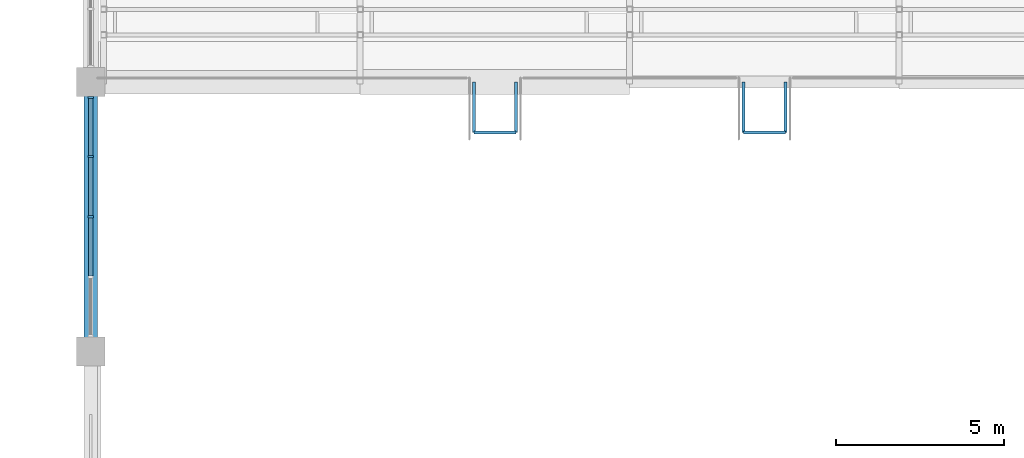
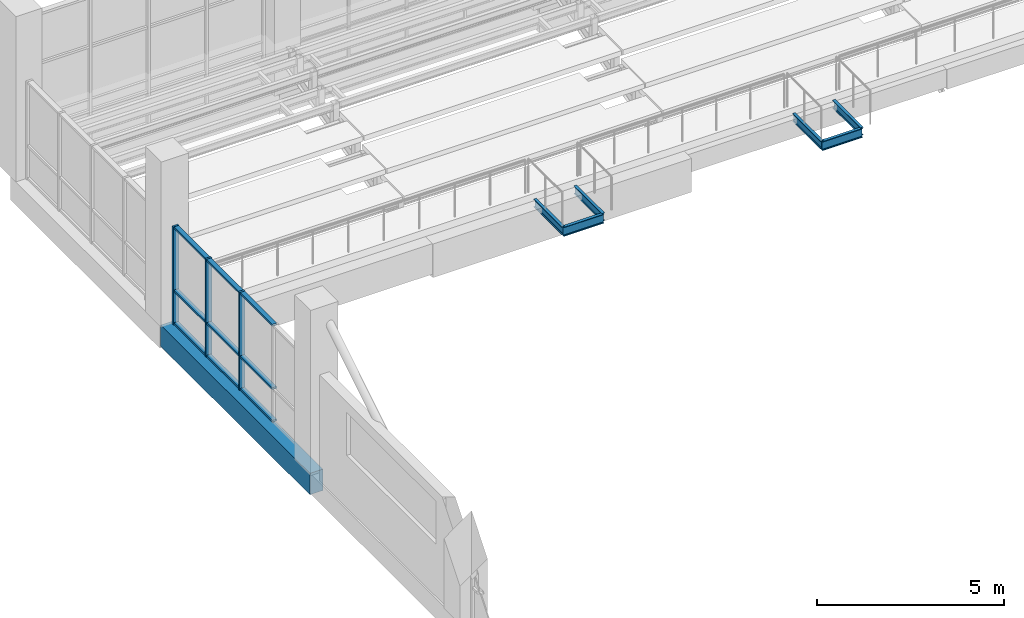
# One storey, part 11 of 122: 12 members, 7 beams, 1 element without a shape of its own.
"""IFC4 building model written with IfcOpenShell, lengths in metres."""

from ifc_helpers import new_model, si_unit, direction, frame, origin, origin_2d, place, context, subcontext, project, spatial, rectangle, i_section, extrude, material, material_profile, profile_set, type_object, element, aggregate, save


model = new_model("IFC4")

# Units and contexts
model_context = context("Model", 3, precision=1e-05, world=origin(), true_north=direction((0.0, 1.0)))
body_context = subcontext(model_context, "Body", "Model", "MODEL_VIEW")
ifc_project = project(units=[si_unit("LENGTHUNIT", "METRE"), si_unit("AREAUNIT", "SQUARE_METRE"), si_unit("VOLUMEUNIT", "CUBIC_METRE"), si_unit("PLANEANGLEUNIT", "RADIAN"), si_unit("MASSUNIT", "GRAM", prefix="KILO")], contexts=[model_context])

# Site, building, storey
site_placement = place(None, origin())
site = spatial("IfcSite", under=ifc_project, at=site_placement, CompositionType="ELEMENT")
building_placement = place(site_placement, origin())
building = spatial("IfcBuilding", under=site, at=building_placement, Name="Tenunan Teduh Sports Hall", CompositionType="ELEMENT")
storey_placement = place(building_placement, frame((0.0, 0.0, 5.39990234375)))
storey = spatial("IfcBuildingStorey", under=building, at=storey_placement, Name="L01", CompositionType="ELEMENT", Elevation=5.39990234375)

# Beam
ifc_material_1 = material(Name="Concrete C40/50", Category="concrete")
ifc_material_profile_1 = material_profile(ifc_material_1, rectangle(XDim=0.39990234375, YDim=0.699951171875, at=origin_2d()), Name="RCB 400x700")
ifc_profile_set_1 = profile_set([ifc_material_profile_1], Name="Concrete C40/50")
beam_type_1 = type_object("IfcBeamType", Name="BM-RC-400x700", PredefinedType="BEAM", material=ifc_profile_set_1)
beam_placement = place(storey_placement, frame((6.0, 30.0, -0.60986328125), z_axis=(0.0, 1.0, 0.0), x_axis=(-1.0, 0.0, 0.0)))
element("IfcBeam", 1, at=beam_placement, inside=storey, type_object=beam_type_1, Name="BM-B-08-L01-1187", PredefinedType="BEAM", context=body_context, shape_type="SweptSolid", body=[
    extrude(rectangle(XDim=0.39990234375, YDim=0.699951171875, at=origin_2d()), origin(), (0.0, 0.0, 1.0), 8.0),
])

# Curtain wall, members
ifc_material_2 = material(Name="Anodised aluminium", Category="aluminium")
curtain_wall_type = type_object("IfcCurtainWallType", Name="CW-UNIT-1", PredefinedType="NOTDEFINED", material=ifc_material_2)
curtain_wall_placement = place(storey_placement, origin())
curtain_wall = element("IfcCurtainWall", 2, at=curtain_wall_placement, inside=storey, type_object=curtain_wall_type, Name="CW-CWM-175-L01-054", PredefinedType="NOTDEFINED")
ifc_material_3 = material(Name="Anodised aluminium", Category="aluminium")
ifc_material_profile_2 = material_profile(ifc_material_3, rectangle(XDim=0.06494140625, YDim=0.175048828125, at=origin_2d()), Name="CWM 65x175")
ifc_profile_set_2 = profile_set([ifc_material_profile_2], Name="Anodised aluminium")
member_type_1 = type_object("IfcMemberType", Name="CWM-175", PredefinedType="MULLION", material=ifc_profile_set_2)
member_1_placement = place(storey_placement, frame((6.0, 34.0, 0.0), z_axis=(0.0, 0.0, 1.0), x_axis=(0.0, 1.0, 0.0)))
member_1 = element("IfcMember", 3, at=member_1_placement, type_object=member_type_1, Name="CW-01 mullion 3", PredefinedType="MULLION", context=body_context, shape_type="SweptSolid", body=[
    extrude(rectangle(XDim=0.06494140625, YDim=0.175048828125, at=origin_2d()), origin(), (0.0, 0.0, 1.0), 3.2001953125),
])
member_2_placement = place(storey_placement, frame((6.0, 35.78759765625, 0.0), z_axis=(0.0, 0.0, 1.0), x_axis=(0.0, 1.0, 0.0)))
member_2 = element("IfcMember", 4, at=member_2_placement, type_object=member_type_1, Name="CW-01 mullion 4", PredefinedType="MULLION", context=body_context, shape_type="SweptSolid", body=[
    extrude(rectangle(XDim=0.06494140625, YDim=0.175048828125, at=origin_2d()), origin(), (0.0, 0.0, 1.0), 3.2001953125),
])
member_3_placement = place(storey_placement, frame((6.0, 37.54248046875, 0.0), z_axis=(0.0, 0.0, 1.0), x_axis=(0.0, 1.0, 0.0)))
member_3 = element("IfcMember", 5, at=member_3_placement, type_object=member_type_1, Name="CW-01 mullion 5", PredefinedType="MULLION", context=body_context, shape_type="SweptSolid", body=[
    extrude(rectangle(XDim=0.06494140625, YDim=0.175048828125, at=origin_2d()), origin(), (0.0, 0.0, 1.0), 3.2001953125),
])
ifc_material_4 = material(Name="Anodised aluminium", Category="aluminium")
ifc_material_profile_3 = material_profile(ifc_material_4, rectangle(XDim=0.06494140625, YDim=0.139892578125, at=origin_2d()), Name="CWT 65x140")
ifc_profile_set_3 = profile_set([ifc_material_profile_3], Name="Anodised aluminium")
member_type_2 = type_object("IfcMemberType", Name="CWT-150", PredefinedType="USERDEFINED", material=ifc_profile_set_3)
member_4_placement = place(storey_placement, frame((6.0, 32.2451171875, 0.03271484375), z_axis=(0.0, 1.0, 0.0), x_axis=(0.0, 0.0, 1.0)))
member_4 = element("IfcMember", 6, at=member_4_placement, type_object=member_type_2, Name="CW-01 transom 2.1", ObjectType="TRANSOM", PredefinedType="USERDEFINED", context=body_context, shape_type="SweptSolid", body=[
    extrude(rectangle(XDim=0.06494140625, YDim=0.139892578125, at=origin_2d()), origin(), (0.0, 0.0, 1.0), 1.722412109375),
])
member_5_placement = place(storey_placement, frame((6.0, 32.2451171875, 1.10009765625), z_axis=(0.0, 1.0, 0.0), x_axis=(0.0, 0.0, 1.0)))
member_5 = element("IfcMember", 7, at=member_5_placement, type_object=member_type_2, Name="CW-01 transom 2.2", ObjectType="TRANSOM", PredefinedType="USERDEFINED", context=body_context, shape_type="SweptSolid", body=[
    extrude(rectangle(XDim=0.06494140625, YDim=0.139892578125, at=origin_2d()), origin(), (0.0, 0.0, 1.0), 1.722412109375),
])
member_6_placement = place(storey_placement, frame((6.0, 32.2451171875, 3.16748046875), z_axis=(0.0, 1.0, 0.0), x_axis=(0.0, 0.0, 1.0)))
member_6 = element("IfcMember", 8, at=member_6_placement, type_object=member_type_2, Name="CW-01 transom 2.3", ObjectType="TRANSOM", PredefinedType="USERDEFINED", context=body_context, shape_type="SweptSolid", body=[
    extrude(rectangle(XDim=0.06494140625, YDim=0.139892578125, at=origin_2d()), origin(), (0.0, 0.0, 1.0), 1.722412109375),
])
member_7_placement = place(storey_placement, frame((6.0, 34.032470703125, 0.03271484375), z_axis=(0.0, 1.0, 0.0), x_axis=(0.0, 0.0, 1.0)))
member_7 = element("IfcMember", 9, at=member_7_placement, type_object=member_type_2, Name="CW-01 transom 3.1", ObjectType="TRANSOM", PredefinedType="USERDEFINED", context=body_context, shape_type="SweptSolid", body=[
    extrude(rectangle(XDim=0.06494140625, YDim=0.139892578125, at=origin_2d()), origin(), (0.0, 0.0, 1.0), 1.722412109375),
])
member_8_placement = place(storey_placement, frame((6.0, 34.032470703125, 1.10009765625), z_axis=(0.0, 1.0, 0.0), x_axis=(0.0, 0.0, 1.0)))
member_8 = element("IfcMember", 10, at=member_8_placement, type_object=member_type_2, Name="CW-01 transom 3.2", ObjectType="TRANSOM", PredefinedType="USERDEFINED", context=body_context, shape_type="SweptSolid", body=[
    extrude(rectangle(XDim=0.06494140625, YDim=0.139892578125, at=origin_2d()), origin(), (0.0, 0.0, 1.0), 1.722412109375),
])
member_9_placement = place(storey_placement, frame((6.0, 34.032470703125, 3.16748046875), z_axis=(0.0, 1.0, 0.0), x_axis=(0.0, 0.0, 1.0)))
member_9 = element("IfcMember", 11, at=member_9_placement, type_object=member_type_2, Name="CW-01 transom 3.3", ObjectType="TRANSOM", PredefinedType="USERDEFINED", context=body_context, shape_type="SweptSolid", body=[
    extrude(rectangle(XDim=0.06494140625, YDim=0.139892578125, at=origin_2d()), origin(), (0.0, 0.0, 1.0), 1.722412109375),
])
member_10_placement = place(storey_placement, frame((6.0, 35.820068359375, 0.03271484375), z_axis=(0.0, 1.0, 0.0), x_axis=(0.0, 0.0, 1.0)))
member_10 = element("IfcMember", 12, at=member_10_placement, type_object=member_type_2, Name="CW-01 transom 4.1", ObjectType="TRANSOM", PredefinedType="USERDEFINED", context=body_context, shape_type="SweptSolid", body=[
    extrude(rectangle(XDim=0.06494140625, YDim=0.139892578125, at=origin_2d()), origin(), (0.0, 0.0, 1.0), 1.68994140625),
])
member_11_placement = place(storey_placement, frame((6.0, 35.820068359375, 1.10009765625), z_axis=(0.0, 1.0, 0.0), x_axis=(0.0, 0.0, 1.0)))
member_11 = element("IfcMember", 13, at=member_11_placement, type_object=member_type_2, Name="CW-01 transom 4.2", ObjectType="TRANSOM", PredefinedType="USERDEFINED", context=body_context, shape_type="SweptSolid", body=[
    extrude(rectangle(XDim=0.06494140625, YDim=0.139892578125, at=origin_2d()), origin(), (0.0, 0.0, 1.0), 1.68994140625),
])
member_12_placement = place(storey_placement, frame((6.0, 35.820068359375, 3.16748046875), z_axis=(0.0, 1.0, 0.0), x_axis=(0.0, 0.0, 1.0)))
member_12 = element("IfcMember", 14, at=member_12_placement, type_object=member_type_2, Name="CW-01 transom 4.3", ObjectType="TRANSOM", PredefinedType="USERDEFINED", context=body_context, shape_type="SweptSolid", body=[
    extrude(rectangle(XDim=0.06494140625, YDim=0.139892578125, at=origin_2d()), origin(), (0.0, 0.0, 1.0), 1.68994140625),
])
aggregate(curtain_wall, [member_1, member_2, member_3, member_4, member_5, member_6, member_7, member_8, member_9, member_10, member_11, member_12])

# Beams
ifc_material_5 = material(Name="Steel S355", Category="steel")
ifc_material_profile_4 = material_profile(ifc_material_5, i_section(OverallWidth=0.090087890625, OverallDepth=0.300048828125, WebThickness=0.008056640625, FlangeThickness=0.015380859375, FilletRadius=0.011962890625, at=origin_2d()), Name="PFC 300x90")
ifc_profile_set_4 = profile_set([ifc_material_profile_4], Name="Steel S355")
beam_type_2 = type_object("IfcBeamType", Name="STR-BM-STRINGER", PredefinedType="BEAM", material=ifc_profile_set_4)
for number, where, z_axis, x_axis, name in (
    (15, (17.3798828125, 36.5, -0.3349609375), (1.0, 0.0, 0.0), (0.0, 1.0, 0.0), "BM-SS-01-FST-4-OUT"),
    (16, (25.3798828125, 36.5, -0.3349609375), (1.0, 0.0, 0.0), (0.0, 1.0, 0.0), "BM-SS-01-FST-5-OUT"),
):
    element("IfcBeam", number, at=place(storey_placement, frame(where, z_axis=z_axis, x_axis=x_axis)), inside=storey, type_object=beam_type_2, Name=name, PredefinedType="BEAM", context=body_context, shape_type="SweptSolid", body=[
        extrude(i_section(OverallWidth=0.090087890625, OverallDepth=0.300048828125, WebThickness=0.008056640625, FlangeThickness=0.015380859375, FilletRadius=0.011962890625, at=origin_2d()), origin(), (0.0, 0.0, 1.0), 1.240234375),
    ])
ifc_material_6 = material(Name="Steel S355", Category="steel")
ifc_material_profile_5 = material_profile(ifc_material_6, i_section(OverallWidth=0.090087890625, OverallDepth=0.260009765625, WebThickness=0.008056640625, FlangeThickness=0.013916015625, FilletRadius=0.011962890625, at=origin_2d()), Name="PFC 260x90")
ifc_profile_set_5 = profile_set([ifc_material_profile_5], Name="Steel S355")
beam_type_3 = type_object("IfcBeamType", Name="STR-BM-TRIM", PredefinedType="BEAM", material=ifc_profile_set_5)
for number, where, z_axis, x_axis, name in (
    (17, (17.3798828125, 36.5, -0.31201171875), (0.0, 1.0, 0.0), (-1.0, 0.0, 0.0), "BM-SS-02-FST-4-S1"),
    (18, (18.6201171875, 36.5, -0.31201171875), (0.0, 1.0, 0.0), (-1.0, 0.0, 0.0), "BM-SS-02-FST-4-S2"),
    (19, (25.3798828125, 36.5, -0.31201171875), (0.0, 1.0, 0.0), (-1.0, 0.0, 0.0), "BM-SS-02-FST-5-S1"),
    (20, (26.6201171875, 36.5, -0.31201171875), (0.0, 1.0, 0.0), (-1.0, 0.0, 0.0), "BM-SS-02-FST-5-S2"),
):
    element("IfcBeam", number, at=place(storey_placement, frame(where, z_axis=z_axis, x_axis=x_axis)), inside=storey, type_object=beam_type_3, Name=name, PredefinedType="BEAM", context=body_context, shape_type="SweptSolid", body=[
        extrude(i_section(OverallWidth=0.090087890625, OverallDepth=0.260009765625, WebThickness=0.008056640625, FlangeThickness=0.013916015625, FilletRadius=0.011962890625, at=origin_2d()), origin(), (0.0, 0.0, 1.0), 1.5),
    ])

save(model, "model.ifc")
